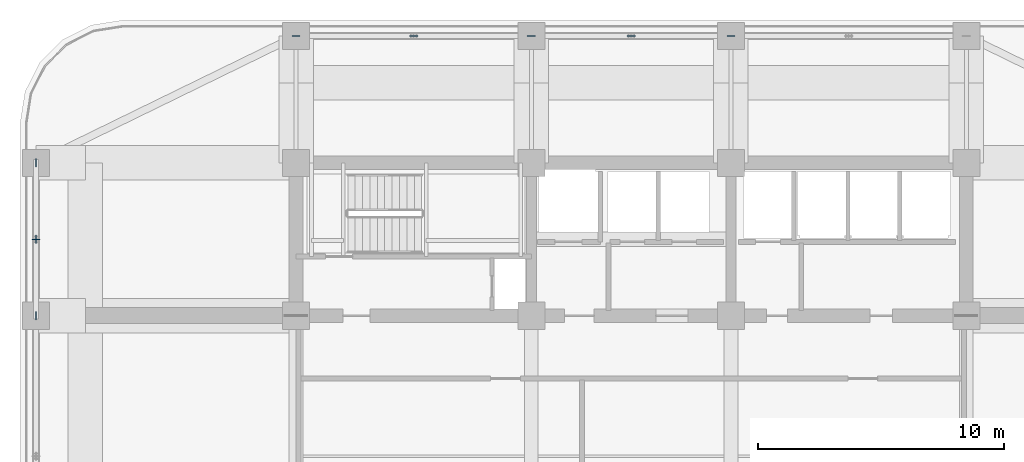
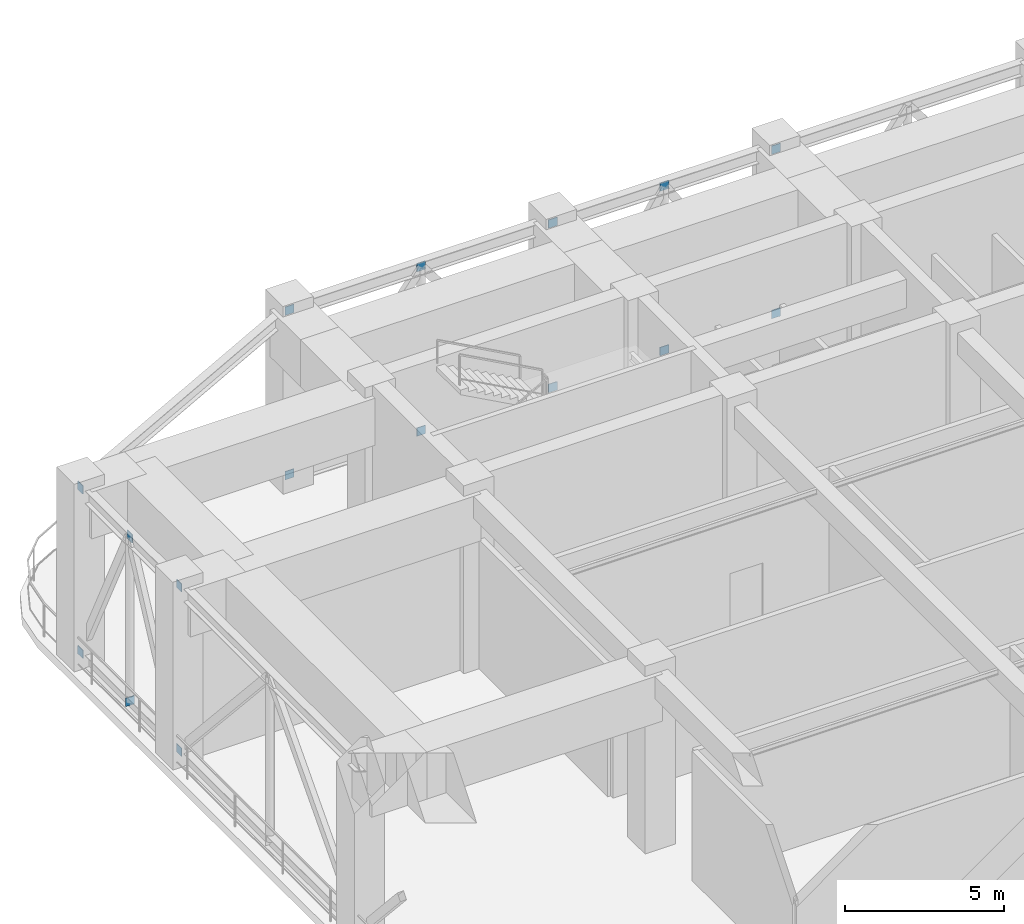
# One storey, part 16 of 20: 16 discrete accessories.
"""IFC4 building model written with IfcOpenShell, lengths in metres."""

from ifc_helpers import new_model, si_unit, direction, frame, origin, origin_2d, place, context, subcontext, project, spatial, rectangle, extrude, material, layer, layer_set, type_object, element, save


model = new_model("IFC4")

# Units and contexts
model_context = context("Model", 3, precision=1e-05, world=origin(), true_north=direction((0.0, 1.0)))
body_context = subcontext(model_context, "Body", "Model", "MODEL_VIEW")
ifc_project = project(units=[si_unit("LENGTHUNIT", "METRE"), si_unit("AREAUNIT", "SQUARE_METRE"), si_unit("VOLUMEUNIT", "CUBIC_METRE"), si_unit("PLANEANGLEUNIT", "RADIAN"), si_unit("MASSUNIT", "GRAM", prefix="KILO")], contexts=[model_context])

# Site, building, storey
site_placement = place(None, origin())
site = spatial("IfcSite", under=ifc_project, at=site_placement, CompositionType="ELEMENT")
building_placement = place(site_placement, origin())
building = spatial("IfcBuilding", under=site, at=building_placement, Name="Svetorya Sky Lyceum", CompositionType="ELEMENT")
storey_placement = place(building_placement, frame((0.0, 0.0, 136.39990234375)))
storey = spatial("IfcBuildingStorey", under=building, at=storey_placement, Name="L34", CompositionType="ELEMENT", Elevation=136.39990234375)

# Discrete accessories
ifc_material = material(Name="Steel S355", Category="steel")
ifc_layer = layer(ifc_material, 0.02392578125)
ifc_layer_set = layer_set([ifc_layer], Name="Steel S355")
discrete_accessory_type = type_object("IfcDiscreteAccessoryType", Name="ACC-GUSSET-24", PredefinedType="BRACKET", material=ifc_layer_set)
for number, where, z_axis, x_axis, name in (
    (1, (25.60009765625, 50.949951171875, 0.0859375), (0.0, 0.0, 1.0), (1.0, 0.0, 0.0), "L34 Brace Node Gusset Plate 79"),
    (2, (35.14990234375, 50.949951171875, 0.0859375), (0.0, 0.0, 1.0), (1.0, 0.0, 0.0), "L34 Brace Node Gusset Plate 80"),
    (3, (25.60009765625, 50.949951171875, 6.39404296875), (0.0, 0.0, 1.0), (1.0, 0.0, 0.0), "L34 Brace Node Gusset Plate 81"),
    (4, (35.14990234375, 50.949951171875, 6.39404296875), (0.0, 0.0, 1.0), (1.0, 0.0, 0.0), "L34 Brace Node Gusset Plate 82"),
    (5, (30.375, 50.949951171875, 6.39404296875), (0.0, 0.0, 1.0), (1.0, 0.0, 0.0), "L34 Brace Node Gusset Plate 83"),
    (6, (30.375, 50.949951171875, 0.0859375), (0.0, 0.0, 1.0), (1.0, 0.0, 0.0), "L34 Brace Node Gusset Plate 84"),
    (7, (43.25, 50.949951171875, 0.0859375), (0.0, 0.0, 1.0), (1.0, 0.0, 0.0), "L34 Brace Node Gusset Plate 85"),
    (8, (43.25, 50.949951171875, 6.39404296875), (0.0, 0.0, 1.0), (1.0, 0.0, 0.0), "L34 Brace Node Gusset Plate 86"),
    (9, (39.199951171875, 50.949951171875, 6.39404296875), (0.0, 0.0, 1.0), (1.0, 0.0, 0.0), "L34 Brace Node Gusset Plate 87"),
    (10, (39.199951171875, 50.949951171875, 0.0859375), (0.0, 0.0, 1.0), (1.0, 0.0, 0.0), "L34 Brace Node Gusset Plate 88"),
):
    element("IfcDiscreteAccessory", number, at=place(storey_placement, frame(where, z_axis=z_axis, x_axis=x_axis)), inside=storey, type_object=discrete_accessory_type, Name=name, PredefinedType="BRACKET", context=body_context, shape_type="SweptSolid", body=[
        extrude(rectangle(XDim=0.320068359375, YDim=0.02392578125, at=origin_2d()), origin(), (0.0, 0.0, 1.0), 0.320068359375),
    ])
for number, where, z_axis, x_axis, name in (
    (11, (15.050048828125, 39.60009765625, 0.0859375), (0.0, 0.0, 1.0), (1.0, 0.0, 0.0), "L34 Brace Node Gusset Plate 103"),
    (12, (15.050048828125, 39.60009765625, 6.39404296875), (0.0, 0.0, 1.0), (1.0, 0.0, 0.0), "L34 Brace Node Gusset Plate 104"),
    (13, (15.050048828125, 45.800048828125, 0.0859375), (0.0, 0.0, 1.0), (1.0, 0.0, 0.0), "L34 Brace Node Gusset Plate 107"),
    (14, (15.050048828125, 45.800048828125, 6.39404296875), (0.0, 0.0, 1.0), (1.0, 0.0, 0.0), "L34 Brace Node Gusset Plate 108"),
    (15, (15.050048828125, 42.699951171875, 6.39404296875), (0.0, 0.0, 1.0), (1.0, 0.0, 0.0), "L34 Brace Node Gusset Plate 109"),
):
    element("IfcDiscreteAccessory", number, at=place(storey_placement, frame(where, z_axis=z_axis, x_axis=x_axis)), inside=storey, type_object=discrete_accessory_type, Name=name, PredefinedType="BRACKET", context=body_context, shape_type="SweptSolid", body=[
        extrude(rectangle(XDim=0.02392578125, YDim=0.320068359375, at=origin_2d()), origin(), (0.0, 0.0, 1.0), 0.320068359375),
    ])
discrete_accessory_placement = place(storey_placement, frame((15.050048828125, 42.699951171875, 0.0859375), z_axis=(0.0, 0.0, 1.0), x_axis=(1.0, 0.0, 0.0)))
element("IfcDiscreteAccessory", 16, at=discrete_accessory_placement, inside=storey, type_object=discrete_accessory_type, Name="L34 Brace Node Gusset Plate 110", PredefinedType="BRACKET", context=body_context, shape_type="SweptSolid", body=[
    extrude(rectangle(XDim=0.320068359375, YDim=0.02392578125, at=origin_2d()), origin(), (0.0, 0.0, 1.0), 0.320068359375),
])

save(model, "model.ifc")
